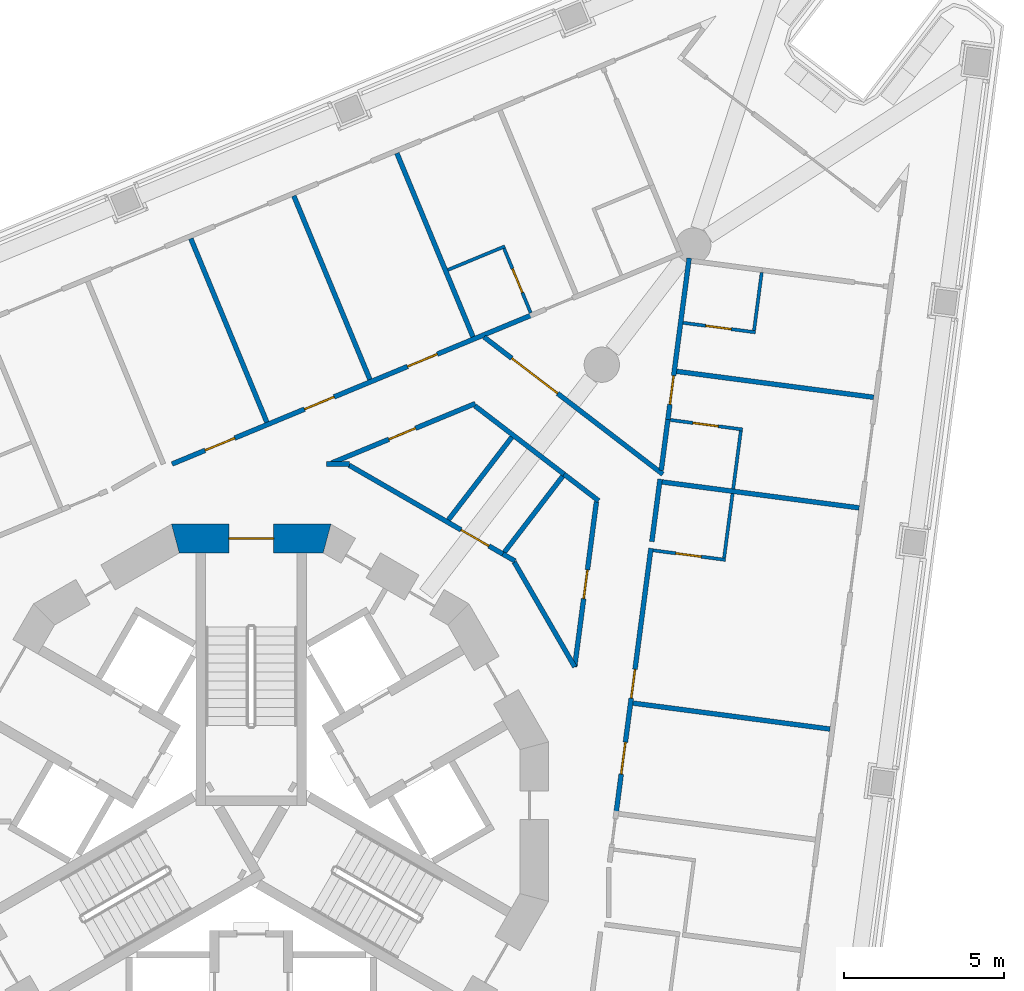
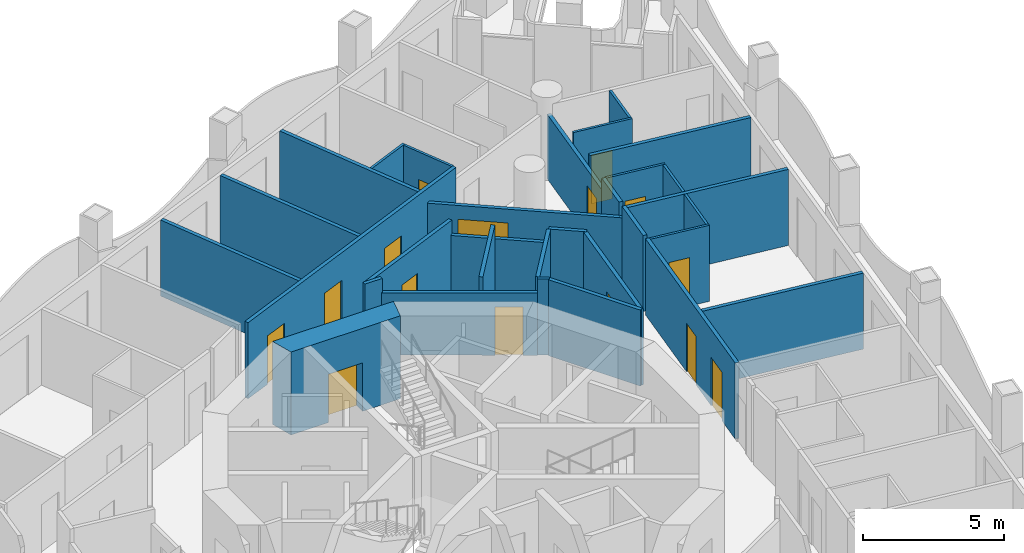
# One storey, part 9 of 17: 31 walls, 15 doors, 15 openings.
"""IFC4 building model written with IfcOpenShell, lengths in metres."""

from ifc_helpers import new_model, si_unit, direction, frame, frame_2d, origin, place, context, subcontext, project, spatial, polyline, rectangle, outline, extrude, material, layer, layer_set, type_object, element, fill, save


model = new_model("IFC4")

# Units and contexts
model_context = context("Model", 3, precision=1e-05, world=origin(), true_north=direction((0.0, 1.0)))
body_context = subcontext(model_context, "Body", "Model", "MODEL_VIEW")
ifc_project = project(units=[si_unit("LENGTHUNIT", "METRE"), si_unit("AREAUNIT", "SQUARE_METRE"), si_unit("VOLUMEUNIT", "CUBIC_METRE"), si_unit("PLANEANGLEUNIT", "RADIAN"), si_unit("MASSUNIT", "GRAM", prefix="KILO")], contexts=[model_context])

# Site, building, storey
site_placement = place(None, origin())
site = spatial("IfcSite", under=ifc_project, at=site_placement, CompositionType="ELEMENT")
building_placement = place(site_placement, origin())
building = spatial("IfcBuilding", under=site, at=building_placement, Name="Trine Commons Tower", CompositionType="ELEMENT")
storey_placement = place(building_placement, frame((0.0, 0.0, 127.800048828125)))
storey = spatial("IfcBuildingStorey", under=building, at=storey_placement, Name="L32", CompositionType="ELEMENT", Elevation=127.800048828125)

# Wall, opening, door
ifc_material_1 = material(Name="Concrete C70/85", Category="concrete")
ifc_layer_1 = layer(ifc_material_1, 0.89990234375)
ifc_layer_set_1 = layer_set([ifc_layer_1], Name="Concrete C70/85")
wall_type_1 = type_object("IfcWallType", Name="RC shear wall 900 mm, C70/85", PredefinedType="SHEAR", material=ifc_layer_set_1)
wall_1_placement = place(storey_placement, frame((82.484619140625, 71.322998046875, 0.0), z_axis=(0.0, 0.0, 1.0), x_axis=(-1.0, 0.0, 0.0)))
wall_1 = element("IfcWall", 1, at=wall_1_placement, inside=storey, type_object=wall_type_1, Name="Core wall CWD-04 L32", PredefinedType="SHEAR", context=body_context, shape_type="SweptSolid", body=[
    extrude(outline(polyline([(0.0, -0.449951171875), (4.969482421875, -0.449951171875), (4.728271484375, 0.449951171875), (0.2412109375, 0.449951171875), (0.0, -0.449951171875)])), origin(), (0.0, 0.0, 1.0), 3.599853515625),
])
opening_1_placement = place(wall_1_placement, frame((1.78466796875, 0.0, 0.0)))
opening_1 = element("IfcOpeningElement", 2, at=opening_1_placement, cuts=wall_1, Name="Opening K11.01", PredefinedType="OPENING", context=body_context, shape_type="SweptSolid", body=[
    extrude(rectangle(XDim=1.39990234375, YDim=2.10009765625, at=frame_2d((0.699951171875, 1.050048828125))), frame((0.0, 0.4599609375, 0.0), z_axis=(0.0, -1.0, 0.0), x_axis=(1.0, 0.0, 0.0)), (0.0, 0.0, 1.0), 0.919921875),
])
ifc_material_2 = material(Name="Steel door leaves, fire-rated", Category="steel")
door_type_1 = type_object("IfcDoorType", Name="Stair door, double leaf 1400 x 2100, FD90", OperationType="DOUBLE_DOOR_SINGLE_SWING", PredefinedType="DOOR", material=ifc_material_2)
door_1_placement = place(opening_1_placement, origin())
door_1 = element("IfcDoor", 3, at=door_1_placement, inside=storey, type_object=door_type_1, Name="Stair door to Exit stair ST1B L32", OperationType="DOUBLE_DOOR_SINGLE_SWING", OverallHeight=2.10009765625, OverallWidth=1.39990234375, PredefinedType="DOOR", context=body_context, shape_type="SweptSolid", body=[
    extrude(rectangle(XDim=1.39990234375, YDim=2.10009765625, at=frame_2d((0.699951171875, 1.050048828125))), frame((0.0, 0.02490234375, 0.0), z_axis=(0.0, -1.0, 0.0), x_axis=(1.0, 0.0, 0.0)), (0.0, 0.0, 1.0), 0.050048828125),
])
fill(opening_1, door_1)

# Wall, openings, doors
ifc_material_3 = material(Name="Gypsum plasterboard on steel stud", Category="steel")
ifc_layer_2 = layer(ifc_material_3, 0.14990234375)
ifc_layer_set_2 = layer_set([ifc_layer_2], Name="Gypsum plasterboard on steel stud")
wall_type_2 = type_object("IfcWallType", Name="Unit and corridor wall 150 mm, EI 60", PredefinedType="PARTITIONING", material=ifc_layer_set_2)
wall_2_placement = place(storey_placement, frame((77.531982421875, 73.64794921875, 0.0), z_axis=(0.0, 0.0, 1.0), x_axis=(0.923863379582, 0.382722426659, 0.0)))
wall_2 = element("IfcWall", 4, at=wall_2_placement, inside=storey, type_object=wall_type_2, Name="Partition 059", PredefinedType="PARTITIONING", context=body_context, shape_type="SweptSolid", body=[
    extrude(rectangle(XDim=12.139404296875, YDim=0.14990234375, at=frame_2d((6.06982421875, 0.0))), origin(), (0.0, 0.0, 1.0), 3.300048828125),
])
opening_2_placement = place(wall_2_placement, frame((1.115966796875, 0.0, 0.0)))
opening_2 = element("IfcOpeningElement", 5, at=opening_2_placement, cuts=wall_2, Name="Opening D-4A10", PredefinedType="OPENING", context=body_context, shape_type="SweptSolid", body=[
    extrude(rectangle(XDim=1.0, YDim=2.10009765625, at=frame_2d((0.5, 1.050048828125))), frame((0.0, 0.0849609375, 0.0), z_axis=(0.0, -1.0, 0.0), x_axis=(1.0, 0.0, 0.0)), (0.0, 0.0, 1.0), 0.169921875),
])
opening_3_placement = place(wall_2_placement, frame((4.46875, 0.0, 0.0)))
opening_3 = element("IfcOpeningElement", 6, at=opening_3_placement, cuts=wall_2, Name="Opening D-4A11", PredefinedType="OPENING", context=body_context, shape_type="SweptSolid", body=[
    extrude(rectangle(XDim=1.0, YDim=2.10009765625, at=frame_2d((0.5, 1.050048828125))), frame((0.0, 0.0849609375, 0.0), z_axis=(0.0, -1.0, 0.0), x_axis=(1.0, 0.0, 0.0)), (0.0, 0.0, 1.0), 0.169921875),
])
opening_4_placement = place(wall_2_placement, frame((7.946533203125, 0.0, 0.0)))
opening_4 = element("IfcOpeningElement", 7, at=opening_4_placement, cuts=wall_2, Name="Opening D-4A12", PredefinedType="OPENING", context=body_context, shape_type="SweptSolid", body=[
    extrude(rectangle(XDim=1.0, YDim=2.10009765625, at=frame_2d((0.5, 1.050048828125))), frame((0.0, 0.0849609375, 0.0), z_axis=(0.0, -1.0, 0.0), x_axis=(1.0, 0.0, 0.0)), (0.0, 0.0, 1.0), 0.169921875),
])
ifc_material_4 = material(Name="Painted timber", Category="wood")
door_type_2 = type_object("IfcDoorType", Name="Amenity room door 1000 x 2100, NOT RATED", OperationType="NOTDEFINED", PredefinedType="DOOR", material=ifc_material_4)
door_2_placement = place(opening_3_placement, origin())
door_2 = element("IfcDoor", 8, at=door_2_placement, inside=storey, type_object=door_type_2, Name="Door D-4A11", OperationType="SINGLE_SWING_LEFT", OverallHeight=2.10009765625, OverallWidth=1.0, PredefinedType="DOOR", context=body_context, shape_type="SweptSolid", body=[
    extrude(rectangle(XDim=1.0, YDim=2.10009765625, at=frame_2d((0.5, 1.050048828125))), frame((0.0, 0.02490234375, 0.0), z_axis=(0.0, -1.0, 0.0), x_axis=(1.0, 0.0, 0.0)), (0.0, 0.0, 1.0), 0.050048828125),
])
fill(opening_3, door_2)
door_3_placement = place(opening_4_placement, origin())
door_3 = element("IfcDoor", 9, at=door_3_placement, inside=storey, type_object=door_type_2, Name="Door D-4A12", OperationType="SINGLE_SWING_RIGHT", OverallHeight=2.10009765625, OverallWidth=1.0, PredefinedType="DOOR", context=body_context, shape_type="SweptSolid", body=[
    extrude(rectangle(XDim=1.0, YDim=2.10009765625, at=frame_2d((0.5, 1.050048828125))), frame((0.0, 0.02490234375, 0.0), z_axis=(0.0, -1.0, 0.0), x_axis=(1.0, 0.0, 0.0)), (0.0, 0.0, 1.0), 0.050048828125),
])
fill(opening_4, door_3)
door_type_3 = type_object("IfcDoorType", Name="Toilet door 1000 x 2100, NOT RATED", OperationType="NOTDEFINED", PredefinedType="DOOR", material=ifc_material_4)
door_4_placement = place(opening_2_placement, origin())
door_4 = element("IfcDoor", 10, at=door_4_placement, inside=storey, type_object=door_type_3, Name="Door D-4A10", OperationType="SINGLE_SWING_LEFT", OverallHeight=2.10009765625, OverallWidth=1.0, PredefinedType="DOOR", context=body_context, shape_type="SweptSolid", body=[
    extrude(rectangle(XDim=1.0, YDim=2.10009765625, at=frame_2d((0.5, 1.050048828125))), frame((0.0, 0.02490234375, 0.0), z_axis=(0.0, -1.0, 0.0), x_axis=(1.0, 0.0, 0.0)), (0.0, 0.0, 1.0), 0.050048828125),
])
fill(opening_2, door_4)

# Walls
wall_3_placement = place(storey_placement, frame((78.1171875, 80.676025390625, 0.0), z_axis=(0.0, 0.0, 1.0), x_axis=(0.382644207456, -0.923895779025, 0.0)))
element("IfcWall", 11, at=wall_3_placement, inside=storey, type_object=wall_type_2, Name="Partition 060", PredefinedType="PARTITIONING", context=body_context, shape_type="SweptSolid", body=[
    extrude(rectangle(XDim=6.194091796875, YDim=0.14990234375, at=frame_2d((3.09716796875, 0.0))), origin(), (0.0, 0.0, 1.0), 3.300048828125),
])
wall_4_placement = place(storey_placement, frame((81.329345703125, 82.007080078125, 0.0), z_axis=(0.0, 0.0, 1.0), x_axis=(0.382731197273, -0.923859746192, 0.0)))
element("IfcWall", 12, at=wall_4_placement, inside=storey, type_object=wall_type_2, Name="Partition 064", PredefinedType="PARTITIONING", context=body_context, shape_type="SweptSolid", body=[
    extrude(rectangle(XDim=6.194580078125, YDim=0.14990234375, at=frame_2d((3.09716796875, 0.0))), origin(), (0.0, 0.0, 1.0), 3.300048828125),
])
wall_5_placement = place(storey_placement, frame((82.35205078125, 73.64794921875, 0.0), z_axis=(0.0, 0.0, 1.0), x_axis=(1.0, 0.0, 0.0)))
element("IfcWall", 13, at=wall_5_placement, inside=storey, type_object=wall_type_2, Name="Partition 067", PredefinedType="PARTITIONING", context=body_context, shape_type="SweptSolid", body=[
    extrude(rectangle(XDim=0.7099609375, YDim=0.14990234375, at=frame_2d((0.35498046875, 0.0))), origin(), (0.0, 0.0, 1.0), 3.300048828125),
])

# Wall, opening, door
wall_6_placement = place(storey_placement, frame((82.500244140625, 73.6767578125, 0.0), z_axis=(0.0, 0.0, 1.0), x_axis=(0.923900404771, 0.382633038384, 0.0)))
wall_6 = element("IfcWall", 14, at=wall_6_placement, inside=storey, type_object=wall_type_2, Name="Partition 068", PredefinedType="PARTITIONING", context=body_context, shape_type="SweptSolid", body=[
    extrude(rectangle(XDim=4.855712890625, YDim=0.14990234375, at=frame_2d((2.427734375, 0.0))), origin(), (0.0, 0.0, 1.0), 3.300048828125),
])
opening_5_placement = place(wall_6_placement, frame((1.940185546875, 0.0, 0.0)))
opening_5 = element("IfcOpeningElement", 15, at=opening_5_placement, cuts=wall_6, Name="Opening D-4A34", PredefinedType="OPENING", context=body_context, shape_type="SweptSolid", body=[
    extrude(rectangle(XDim=0.89990234375, YDim=2.10009765625, at=frame_2d((0.449951171875, 1.050048828125))), frame((0.0, 0.0849609375, 0.0), z_axis=(0.0, -1.0, 0.0), x_axis=(1.0, 0.0, 0.0)), (0.0, 0.0, 1.0), 0.169921875),
])
ifc_material_5 = material(Name="Timber fire door set", Category="wood")
door_type_4 = type_object("IfcDoorType", Name="Service door 900 x 2100, FD30S", OperationType="NOTDEFINED", PredefinedType="DOOR", material=ifc_material_5)
door_5_placement = place(opening_5_placement, frame((0.89990234375, 0.0, 0.0), z_axis=(0.0, 0.0, 1.0), x_axis=(-1.0, 0.0, 0.0)))
door_5 = element("IfcDoor", 16, at=door_5_placement, inside=storey, type_object=door_type_4, Name="Door D-4A34", OperationType="SINGLE_SWING_RIGHT", OverallHeight=2.10009765625, OverallWidth=0.89990234375, PredefinedType="DOOR", context=body_context, shape_type="SweptSolid", body=[
    extrude(rectangle(XDim=0.89990234375, YDim=2.10009765625, at=frame_2d((0.449951171875, 1.050048828125))), frame((0.0, 0.02490234375, 0.0), z_axis=(0.0, -1.0, 0.0), x_axis=(1.0, 0.0, 0.0)), (0.0, 0.0, 1.0), 0.050048828125),
])
fill(opening_5, door_5)

wall_7_placement = place(storey_placement, frame((83.052001953125, 73.610595703125, 0.0), z_axis=(0.0, 0.0, 1.0), x_axis=(0.866011740381, -0.500023664962, 0.0)))
wall_7 = element("IfcWall", 17, at=wall_7_placement, inside=storey, type_object=wall_type_2, Name="Partition 071", PredefinedType="PARTITIONING", context=body_context, shape_type="SweptSolid", body=[
    extrude(rectangle(XDim=5.542724609375, YDim=0.14990234375, at=frame_2d((2.771484375, 0.0))), origin(), (0.0, 0.0, 1.0), 2.699951171875),
])
opening_6_placement = place(wall_7_placement, frame((4.030517578125, 0.0, 0.0)))
opening_6 = element("IfcOpeningElement", 18, at=opening_6_placement, cuts=wall_7, Name="Opening D-4A38", PredefinedType="OPENING", context=body_context, shape_type="SweptSolid", body=[
    extrude(rectangle(XDim=1.0, YDim=2.10009765625, at=frame_2d((0.5, 1.050048828125))), frame((0.0, 0.0849609375, 0.0), z_axis=(0.0, -1.0, 0.0), x_axis=(1.0, 0.0, 0.0)), (0.0, 0.0, 1.0), 0.169921875),
])
door_6_placement = place(opening_6_placement, origin())
door_6 = element("IfcDoor", 19, at=door_6_placement, inside=storey, type_object=door_type_3, Name="Door D-4A38", OperationType="SINGLE_SWING_RIGHT", OverallHeight=2.10009765625, OverallWidth=1.0, PredefinedType="DOOR", context=body_context, shape_type="SweptSolid", body=[
    extrude(rectangle(XDim=1.0, YDim=2.10009765625, at=frame_2d((0.5, 1.050048828125))), frame((0.0, 0.02490234375, 0.0), z_axis=(0.0, -1.0, 0.0), x_axis=(1.0, 0.0, 0.0)), (0.0, 0.0, 1.0), 0.050048828125),
])
fill(opening_6, door_6)

# Walls
wall_8_placement = place(storey_placement, frame((84.542236328125, 83.337890625, 0.0), z_axis=(0.0, 0.0, 1.0), x_axis=(0.382778772429, -0.9238400356, 0.0)))
element("IfcWall", 20, at=wall_8_placement, inside=storey, type_object=wall_type_2, Name="Partition 077", PredefinedType="PARTITIONING", context=body_context, shape_type="SweptSolid", body=[
    extrude(rectangle(XDim=6.1943359375, YDim=0.14990234375, at=frame_2d((3.09716796875, 0.0))), origin(), (0.0, 0.0, 1.0), 3.300048828125),
])
wall_9_placement = place(storey_placement, frame((86.147705078125, 71.908447265625, 0.0), z_axis=(0.0, 0.0, 1.0), x_axis=(0.608765985087, 0.793349844269, 0.0)))
element("IfcWall", 21, at=wall_9_placement, inside=storey, type_object=wall_type_2, Name="Partition 081", PredefinedType="PARTITIONING", context=body_context, shape_type="SweptSolid", body=[
    extrude(rectangle(XDim=3.24853515625, YDim=0.14990234375, at=frame_2d((1.624267578125, 0.0))), origin(), (0.0, 0.0, 1.0), 3.300048828125),
])
wall_10_placement = place(storey_placement, frame((86.9765625, 75.460205078125, 0.0), z_axis=(0.0, 0.0, 1.0), x_axis=(0.793436349507, -0.608653234018, 0.0)))
element("IfcWall", 22, at=wall_10_placement, inside=storey, type_object=wall_type_2, Name="Partition 082", PredefinedType="PARTITIONING", context=body_context, shape_type="SweptSolid", body=[
    extrude(rectangle(XDim=3.583251953125, YDim=0.14990234375, at=frame_2d((1.79150390625, 0.0))), origin(), (0.0, 0.0, 1.0), 2.699951171875),
])

# Wall, opening, door
wall_11_placement = place(storey_placement, frame((87.259521484375, 77.607421875, 0.0), z_axis=(0.0, 0.0, 1.0), x_axis=(0.79336631803, -0.608744515718, 0.0)))
wall_11 = element("IfcWall", 23, at=wall_11_placement, inside=storey, type_object=wall_type_2, Name="Partition 083", PredefinedType="PARTITIONING", context=body_context, shape_type="SweptSolid", body=[
    extrude(rectangle(XDim=7.0244140625, YDim=0.14990234375, at=frame_2d((3.51220703125, 0.0))), origin(), (0.0, 0.0, 1.0), 2.699951171875),
])
opening_7_placement = place(wall_11_placement, frame((1.086181640625, 0.0, 0.0)))
opening_7 = element("IfcOpeningElement", 24, at=opening_7_placement, cuts=wall_11, Name="Opening D-4A01", PredefinedType="OPENING", context=body_context, shape_type="SweptSolid", body=[
    extrude(rectangle(XDim=1.800048828125, YDim=2.10009765625, at=frame_2d((0.89990234375, 1.050048828125))), frame((0.0, 0.0849609375, 0.0), z_axis=(0.0, -1.0, 0.0), x_axis=(1.0, 0.0, 0.0)), (0.0, 0.0, 1.0), 0.169921875),
])
door_type_5 = type_object("IfcDoorType", Name="Cluster entrance door 1800 x 2100, double leaf, FD30S", OperationType="DOUBLE_DOOR_DOUBLE_SWING", PredefinedType="DOOR", material=ifc_material_5)
door_7_placement = place(opening_7_placement, origin())
door_7 = element("IfcDoor", 25, at=door_7_placement, inside=storey, type_object=door_type_5, Name="Door D-4A01", OperationType="DOUBLE_DOOR_DOUBLE_SWING", OverallHeight=2.10009765625, OverallWidth=1.800048828125, PredefinedType="DOOR", context=body_context, shape_type="SweptSolid", body=[
    extrude(rectangle(XDim=1.800048828125, YDim=2.10009765625, at=frame_2d((0.89990234375, 1.050048828125))), frame((0.0, 0.02490234375, 0.0), z_axis=(0.0, -1.0, 0.0), x_axis=(1.0, 0.0, 0.0)), (0.0, 0.0, 1.0), 0.050048828125),
])
fill(opening_7, door_7)

# Walls
wall_12_placement = place(storey_placement, frame((87.845947265625, 70.843017578125, 0.0), z_axis=(0.0, 0.0, 1.0), x_axis=(0.86587042983, -0.500268326746, 0.0)))
element("IfcWall", 26, at=wall_12_placement, inside=storey, type_object=wall_type_2, Name="Partition 088", PredefinedType="PARTITIONING", context=body_context, shape_type="SweptSolid", body=[
    extrude(rectangle(XDim=0.438720703125, YDim=0.14990234375, at=frame_2d((0.21923828125, 0.0))), origin(), (0.0, 0.0, 1.0), 3.300048828125),
])
wall_13_placement = place(storey_placement, frame((87.894775390625, 70.900390625, 0.0), z_axis=(0.0, 0.0, 1.0), x_axis=(0.608761301523, 0.793353438114, 0.0)))
element("IfcWall", 27, at=wall_13_placement, inside=storey, type_object=wall_type_2, Name="Partition 089", PredefinedType="PARTITIONING", context=body_context, shape_type="SweptSolid", body=[
    extrude(rectangle(XDim=2.98388671875, YDim=0.14990234375, at=frame_2d((1.491943359375, 0.0))), origin(), (0.0, 0.0, 1.0), 3.300048828125),
])
wall_14_placement = place(storey_placement, frame((88.198486328125, 70.595947265625, 0.0), z_axis=(0.0, 0.0, 1.0), x_axis=(0.499871635049, -0.86609950264, 0.0)))
element("IfcWall", 28, at=wall_14_placement, inside=storey, type_object=wall_type_2, Name="Partition 092", PredefinedType="PARTITIONING", context=body_context, shape_type="SweptSolid", body=[
    extrude(rectangle(XDim=3.77783203125, YDim=0.14990234375, at=frame_2d((1.888916015625, 0.0))), origin(), (0.0, 0.0, 1.0), 3.300048828125),
])
wall_15_placement = place(storey_placement, frame((89.75390625, 73.3291015625, 0.0), z_axis=(0.0, 0.0, 1.0), x_axis=(0.793704663206, -0.608303302313, 0.0)))
element("IfcWall", 29, at=wall_15_placement, inside=storey, type_object=wall_type_2, Name="Partition 102", PredefinedType="PARTITIONING", context=body_context, shape_type="SweptSolid", body=[
    extrude(rectangle(XDim=1.35888671875, YDim=0.14990234375, at=frame_2d((0.679443359375, 0.0))), origin(), (0.0, 0.0, 1.0), 3.300048828125),
])

# Wall, opening, door
wall_16_placement = place(storey_placement, frame((90.0849609375, 67.326904296875, 0.0), z_axis=(0.0, 0.0, 1.0), x_axis=(0.130647942506, 0.991428825039, 0.0)))
wall_16 = element("IfcWall", 30, at=wall_16_placement, inside=storey, type_object=wall_type_2, Name="Partition 106", PredefinedType="PARTITIONING", context=body_context, shape_type="SweptSolid", body=[
    extrude(rectangle(XDim=5.191162109375, YDim=0.14990234375, at=frame_2d((2.595703125, 0.0))), origin(), (0.0, 0.0, 1.0), 3.300048828125),
])
opening_8_placement = place(wall_16_placement, frame((2.1455078125, 0.0, 0.0)))
opening_8 = element("IfcOpeningElement", 31, at=opening_8_placement, cuts=wall_16, Name="Opening D-4A35", PredefinedType="OPENING", context=body_context, shape_type="SweptSolid", body=[
    extrude(rectangle(XDim=0.89990234375, YDim=2.10009765625, at=frame_2d((0.449951171875, 1.050048828125))), frame((0.0, 0.0849609375, 0.0), z_axis=(0.0, -1.0, 0.0), x_axis=(1.0, 0.0, 0.0)), (0.0, 0.0, 1.0), 0.169921875),
])
door_8_placement = place(opening_8_placement, origin())
door_8 = element("IfcDoor", 32, at=door_8_placement, inside=storey, type_object=door_type_4, Name="Door D-4A35", OperationType="SINGLE_SWING_LEFT", OverallHeight=2.10009765625, OverallWidth=0.89990234375, PredefinedType="DOOR", context=body_context, shape_type="SweptSolid", body=[
    extrude(rectangle(XDim=0.89990234375, YDim=2.10009765625, at=frame_2d((0.449951171875, 1.050048828125))), frame((0.0, 0.02490234375, 0.0), z_axis=(0.0, -1.0, 0.0), x_axis=(1.0, 0.0, 0.0)), (0.0, 0.0, 1.0), 0.050048828125),
])
fill(opening_8, door_8)

# Wall, openings, doors
wall_17_placement = place(storey_placement, frame((91.3740234375, 62.751953125, 0.0), z_axis=(0.0, 0.0, 1.0), x_axis=(0.130502976736, 0.991447917474, 0.0)))
wall_17 = element("IfcWall", 33, at=wall_17_placement, inside=storey, type_object=wall_type_2, Name="Partition 120", PredefinedType="PARTITIONING", context=body_context, shape_type="SweptSolid", body=[
    extrude(rectangle(XDim=8.33984375, YDim=0.14990234375, at=frame_2d((4.169921875, 0.0))), origin(), (0.0, 0.0, 1.0), 3.300048828125),
])
opening_9_placement = place(wall_17_placement, frame((3.6318359375, 0.0, 0.0)))
opening_9 = element("IfcOpeningElement", 34, at=opening_9_placement, cuts=wall_17, Name="Opening D-4A17", PredefinedType="OPENING", context=body_context, shape_type="SweptSolid", body=[
    extrude(rectangle(XDim=0.89990234375, YDim=2.10009765625, at=frame_2d((0.449951171875, 1.050048828125))), frame((0.0, 0.0849609375, 0.0), z_axis=(0.0, -1.0, 0.0), x_axis=(1.0, 0.0, 0.0)), (0.0, 0.0, 1.0), 0.169921875),
])
opening_10_placement = place(wall_17_placement, frame((1.242919921875, 0.0, 0.0)))
opening_10 = element("IfcOpeningElement", 35, at=opening_10_placement, cuts=wall_17, Name="Opening D-4A18", PredefinedType="OPENING", context=body_context, shape_type="SweptSolid", body=[
    extrude(rectangle(XDim=1.0, YDim=2.10009765625, at=frame_2d((0.5, 1.050048828125))), frame((0.0, 0.0849609375, 0.0), z_axis=(0.0, -1.0, 0.0), x_axis=(1.0, 0.0, 0.0)), (0.0, 0.0, 1.0), 0.169921875),
])
door_9_placement = place(opening_10_placement, frame((1.0, 0.0, 0.0), z_axis=(0.0, 0.0, 1.0), x_axis=(-1.0, 0.0, 0.0)))
door_9 = element("IfcDoor", 36, at=door_9_placement, inside=storey, type_object=door_type_2, Name="Door D-4A18", OperationType="SINGLE_SWING_RIGHT", OverallHeight=2.10009765625, OverallWidth=1.0, PredefinedType="DOOR", context=body_context, shape_type="SweptSolid", body=[
    extrude(rectangle(XDim=1.0, YDim=2.10009765625, at=frame_2d((0.5, 1.050048828125))), frame((0.0, 0.02490234375, 0.0), z_axis=(0.0, -1.0, 0.0), x_axis=(1.0, 0.0, 0.0)), (0.0, 0.0, 1.0), 0.050048828125),
])
fill(opening_10, door_9)
door_type_6 = type_object("IfcDoorType", Name="Bedroom door 900 x 2100, FD30S", OperationType="NOTDEFINED", PredefinedType="DOOR", material=ifc_material_5)
door_10_placement = place(opening_9_placement, frame((0.89990234375, 0.0, 0.0), z_axis=(0.0, 0.0, 1.0), x_axis=(-1.0, 0.0, 0.0)))
door_10 = element("IfcDoor", 37, at=door_10_placement, inside=storey, type_object=door_type_6, Name="Door D-4A17", OperationType="SINGLE_SWING_RIGHT", OverallHeight=2.10009765625, OverallWidth=0.89990234375, PredefinedType="DOOR", context=body_context, shape_type="SweptSolid", body=[
    extrude(rectangle(XDim=0.89990234375, YDim=2.10009765625, at=frame_2d((0.449951171875, 1.050048828125))), frame((0.0, 0.02490234375, 0.0), z_axis=(0.0, -1.0, 0.0), x_axis=(1.0, 0.0, 0.0)), (0.0, 0.0, 1.0), 0.050048828125),
])
fill(opening_9, door_10)

# Walls
wall_18_placement = place(storey_placement, frame((91.9033203125, 66.194091796875, 0.0), z_axis=(0.0, 0.0, 1.0), x_axis=(0.991436980159, -0.130586042033, 0.0)))
element("IfcWall", 38, at=wall_18_placement, inside=storey, type_object=wall_type_2, Name="Partition 123", PredefinedType="PARTITIONING", context=body_context, shape_type="SweptSolid", body=[
    extrude(rectangle(XDim=6.19384765625, YDim=0.14990234375, at=frame_2d((3.096923828125, 0.0))), origin(), (0.0, 0.0, 1.0), 3.300048828125),
])
wall_19_placement = place(storey_placement, frame((92.489990234375, 71.22998046875, 0.0), z_axis=(0.0, 0.0, 1.0), x_axis=(0.130747069904, 0.991415757244, 0.0)))
element("IfcWall", 39, at=wall_19_placement, inside=storey, type_object=wall_type_2, Name="Partition 127", PredefinedType="PARTITIONING", context=body_context, shape_type="SweptSolid", body=[
    extrude(rectangle(XDim=1.96435546875, YDim=0.14990234375, at=frame_2d((0.982177734375, 0.0))), origin(), (0.0, 0.0, 1.0), 3.300048828125),
])
wall_20_placement = place(storey_placement, frame((92.811279296875, 73.089111328125, 0.0), z_axis=(0.0, 0.0, 1.0), x_axis=(0.991458051546, -0.130425963766, 0.0)))
element("IfcWall", 40, at=wall_20_placement, inside=storey, type_object=wall_type_2, Name="Partition 128", PredefinedType="PARTITIONING", context=body_context, shape_type="SweptSolid", body=[
    extrude(rectangle(XDim=6.194091796875, YDim=0.14990234375, at=frame_2d((3.09716796875, 0.0))), origin(), (0.0, 0.0, 1.0), 3.300048828125),
])
wall_21_placement = place(storey_placement, frame((92.78271484375, 73.451416015625, 0.0), z_axis=(0.0, 0.0, 1.0), x_axis=(0.130312245432, 0.991473004519, 0.0)))
element("IfcWall", 41, at=wall_21_placement, inside=storey, type_object=wall_type_2, Name="Partition 129", PredefinedType="PARTITIONING", context=body_context, shape_type="SweptSolid", body=[
    extrude(rectangle(XDim=1.59814453125, YDim=0.14990234375, at=frame_2d((0.799072265625, 0.0))), origin(), (0.0, 0.0, 1.0), 3.300048828125),
])

# Wall, opening, door
wall_22_placement = place(storey_placement, frame((92.9833984375, 74.978515625, 0.0), z_axis=(0.0, 0.0, 1.0), x_axis=(0.130587368937, 0.991436805386, 0.0)))
wall_22 = element("IfcWall", 42, at=wall_22_placement, inside=storey, type_object=wall_type_2, Name="Partition 130", PredefinedType="PARTITIONING", context=body_context, shape_type="SweptSolid", body=[
    extrude(rectangle(XDim=5.1337890625, YDim=0.14990234375, at=frame_2d((2.56689453125, 0.0))), origin(), (0.0, 0.0, 1.0), 2.800048828125),
])
opening_11_placement = place(wall_22_placement, frame((0.531982421875, 0.0, 0.0)))
opening_11 = element("IfcOpeningElement", 43, at=opening_11_placement, cuts=wall_22, Name="Opening D-4A16", PredefinedType="OPENING", context=body_context, shape_type="SweptSolid", body=[
    extrude(rectangle(XDim=0.89990234375, YDim=2.10009765625, at=frame_2d((0.449951171875, 1.050048828125))), frame((0.0, 0.0849609375, 0.0), z_axis=(0.0, -1.0, 0.0), x_axis=(1.0, 0.0, 0.0)), (0.0, 0.0, 1.0), 0.169921875),
])
door_11_placement = place(opening_11_placement, frame((0.89990234375, 0.0, 0.0), z_axis=(0.0, 0.0, 1.0), x_axis=(-1.0, 0.0, 0.0)))
door_11 = element("IfcDoor", 44, at=door_11_placement, inside=storey, type_object=door_type_6, Name="Door D-4A16", OperationType="SINGLE_SWING_RIGHT", OverallHeight=2.10009765625, OverallWidth=0.89990234375, PredefinedType="DOOR", context=body_context, shape_type="SweptSolid", body=[
    extrude(rectangle(XDim=0.89990234375, YDim=2.10009765625, at=frame_2d((0.449951171875, 1.050048828125))), frame((0.0, 0.02490234375, 0.0), z_axis=(0.0, -1.0, 0.0), x_axis=(1.0, 0.0, 0.0)), (0.0, 0.0, 1.0), 0.050048828125),
])
fill(opening_11, door_11)

# Walls
wall_23_placement = place(storey_placement, frame((93.264404296875, 76.537109375, 0.0), z_axis=(0.0, 0.0, 1.0), x_axis=(0.991439668145, -0.130565632649, 0.0)))
element("IfcWall", 45, at=wall_23_placement, inside=storey, type_object=wall_type_2, Name="Partition 133", PredefinedType="PARTITIONING", context=body_context, shape_type="SweptSolid", body=[
    extrude(rectangle(XDim=6.19482421875, YDim=0.14990234375, at=frame_2d((3.097412109375, 0.0))), origin(), (0.0, 0.0, 1.0), 3.300048828125),
])
ifc_layer_3 = layer(ifc_material_3, 0.10009765625)
ifc_layer_set_3 = layer_set([ifc_layer_3], Name="Gypsum plasterboard on steel stud")
wall_type_3 = type_object("IfcWallType", Name="Unit partition 100 mm, no rating", PredefinedType="PARTITIONING", material=ifc_layer_set_3)
wall_24_placement = place(storey_placement, frame((86.13037109375, 79.69970703125, 0.0), z_axis=(0.0, 0.0, 1.0), x_axis=(0.923967386518, 0.38247126513, 0.0)))
element("IfcWall", 46, at=wall_24_placement, inside=storey, type_object=wall_type_3, Name="Partition 080", PredefinedType="PARTITIONING", context=body_context, shape_type="SweptSolid", body=[
    extrude(rectangle(XDim=1.92529296875, YDim=0.10009765625, at=frame_2d((0.962646484375, 0.0))), origin(), (0.0, 0.0, 1.0), 3.300048828125),
])

# Wall, opening, door
wall_25_placement = place(storey_placement, frame((87.882080078125, 80.370849609375, 0.0), z_axis=(0.0, 0.0, 1.0), x_axis=(0.382645891508, -0.92389508155, 0.0)))
wall_25 = element("IfcWall", 47, at=wall_25_placement, inside=storey, type_object=wall_type_3, Name="Partition 090", PredefinedType="PARTITIONING", context=body_context, shape_type="SweptSolid", body=[
    extrude(rectangle(XDim=2.175048828125, YDim=0.10009765625, at=frame_2d((1.08740234375, 0.0))), origin(), (0.0, 0.0, 1.0), 3.300048828125),
])
opening_12_placement = place(wall_25_placement, frame((0.6875, 0.0, 0.0)))
opening_12 = element("IfcOpeningElement", 48, at=opening_12_placement, cuts=wall_25, Name="Opening D-4A42", PredefinedType="OPENING", context=body_context, shape_type="SweptSolid", body=[
    extrude(rectangle(XDim=0.800048828125, YDim=2.10009765625, at=frame_2d((0.39990234375, 1.050048828125))), frame((0.0, 0.06005859375, 0.0), z_axis=(0.0, -1.0, 0.0), x_axis=(1.0, 0.0, 0.0)), (0.0, 0.0, 1.0), 0.1201171875),
])
door_type_7 = type_object("IfcDoorType", Name="Internal door 800 x 2100, NOT RATED", OperationType="NOTDEFINED", PredefinedType="DOOR", material=ifc_material_4)
door_12_placement = place(opening_12_placement, origin())
door_12 = element("IfcDoor", 49, at=door_12_placement, inside=storey, type_object=door_type_7, Name="Door D-4A42", OperationType="SINGLE_SWING_RIGHT", OverallHeight=2.10009765625, OverallWidth=0.800048828125, PredefinedType="DOOR", context=body_context, shape_type="SweptSolid", body=[
    extrude(rectangle(XDim=0.800048828125, YDim=2.10009765625, at=frame_2d((0.39990234375, 1.050048828125))), frame((0.0, 0.02490234375, 0.0), z_axis=(0.0, -1.0, 0.0), x_axis=(1.0, 0.0, 0.0)), (0.0, 0.0, 1.0), 0.050048828125),
])
fill(opening_12, door_12)

wall_26_placement = place(storey_placement, frame((92.530517578125, 70.957275390625, 0.0), z_axis=(0.0, 0.0, 1.0), x_axis=(0.991445890878, -0.130518372124, 0.0)))
wall_26 = element("IfcWall", 50, at=wall_26_placement, inside=storey, type_object=wall_type_3, Name="Partition 125", PredefinedType="PARTITIONING", context=body_context, shape_type="SweptSolid", body=[
    extrude(rectangle(XDim=2.274658203125, YDim=0.10009765625, at=frame_2d((1.13720703125, 0.0))), origin(), (0.0, 0.0, 1.0), 3.300048828125),
])
opening_13_placement = place(wall_26_placement, frame((0.71240234375, 0.0, 0.0)))
opening_13 = element("IfcOpeningElement", 51, at=opening_13_placement, cuts=wall_26, Name="Opening D-4A46", PredefinedType="OPENING", context=body_context, shape_type="SweptSolid", body=[
    extrude(rectangle(XDim=0.800048828125, YDim=2.10009765625, at=frame_2d((0.39990234375, 1.050048828125))), frame((0.0, 0.06005859375, 0.0), z_axis=(0.0, -1.0, 0.0), x_axis=(1.0, 0.0, 0.0)), (0.0, 0.0, 1.0), 0.1201171875),
])
door_13_placement = place(opening_13_placement, frame((0.800048828125, 0.0, 0.0), z_axis=(0.0, 0.0, 1.0), x_axis=(-1.0, 0.0, 0.0)))
door_13 = element("IfcDoor", 52, at=door_13_placement, inside=storey, type_object=door_type_7, Name="Door D-4A46", OperationType="SINGLE_SWING_RIGHT", OverallHeight=2.10009765625, OverallWidth=0.800048828125, PredefinedType="DOOR", context=body_context, shape_type="SweptSolid", body=[
    extrude(rectangle(XDim=0.800048828125, YDim=2.10009765625, at=frame_2d((0.39990234375, 1.050048828125))), frame((0.0, 0.02490234375, 0.0), z_axis=(0.0, -1.0, 0.0), x_axis=(1.0, 0.0, 0.0)), (0.0, 0.0, 1.0), 0.050048828125),
])
fill(opening_13, door_13)

wall_27_placement = place(storey_placement, frame((93.0654296875, 75.022216796875, 0.0), z_axis=(0.0, 0.0, 1.0), x_axis=(0.991459774706, -0.130412864162, 0.0)))
wall_27 = element("IfcWall", 53, at=wall_27_placement, inside=storey, type_object=wall_type_3, Name="Partition 131", PredefinedType="PARTITIONING", context=body_context, shape_type="SweptSolid", body=[
    extrude(rectangle(XDim=2.274658203125, YDim=0.10009765625, at=frame_2d((1.13720703125, 0.0))), origin(), (0.0, 0.0, 1.0), 3.300048828125),
])
opening_14_placement = place(wall_27_placement, frame((0.71240234375, 0.0, 0.0)))
opening_14 = element("IfcOpeningElement", 54, at=opening_14_placement, cuts=wall_27, Name="Opening D-4A45", PredefinedType="OPENING", context=body_context, shape_type="SweptSolid", body=[
    extrude(rectangle(XDim=0.800048828125, YDim=2.10009765625, at=frame_2d((0.39990234375, 1.050048828125))), frame((0.0, 0.06005859375, 0.0), z_axis=(0.0, -1.0, 0.0), x_axis=(1.0, 0.0, 0.0)), (0.0, 0.0, 1.0), 0.1201171875),
])
door_14_placement = place(opening_14_placement, origin())
door_14 = element("IfcDoor", 55, at=door_14_placement, inside=storey, type_object=door_type_7, Name="Door D-4A45", OperationType="SINGLE_SWING_LEFT", OverallHeight=2.10009765625, OverallWidth=0.800048828125, PredefinedType="DOOR", context=body_context, shape_type="SweptSolid", body=[
    extrude(rectangle(XDim=0.800048828125, YDim=2.10009765625, at=frame_2d((0.39990234375, 1.050048828125))), frame((0.0, 0.02490234375, 0.0), z_axis=(0.0, -1.0, 0.0), x_axis=(1.0, 0.0, 0.0)), (0.0, 0.0, 1.0), 0.050048828125),
])
fill(opening_14, door_14)

wall_28_placement = place(storey_placement, frame((93.46435546875, 78.05126953125, 0.0), z_axis=(0.0, 0.0, 1.0), x_axis=(0.991445890878, -0.130518372124, 0.0)))
wall_28 = element("IfcWall", 56, at=wall_28_placement, inside=storey, type_object=wall_type_3, Name="Partition 134", PredefinedType="PARTITIONING", context=body_context, shape_type="SweptSolid", body=[
    extrude(rectangle(XDim=2.274658203125, YDim=0.10009765625, at=frame_2d((1.13720703125, 0.0))), origin(), (0.0, 0.0, 1.0), 3.300048828125),
])
opening_15_placement = place(wall_28_placement, frame((0.71240234375, 0.0, 0.0)))
opening_15 = element("IfcOpeningElement", 57, at=opening_15_placement, cuts=wall_28, Name="Opening D-4A44", PredefinedType="OPENING", context=body_context, shape_type="SweptSolid", body=[
    extrude(rectangle(XDim=0.800048828125, YDim=2.10009765625, at=frame_2d((0.39990234375, 1.050048828125))), frame((0.0, 0.06005859375, 0.0), z_axis=(0.0, -1.0, 0.0), x_axis=(1.0, 0.0, 0.0)), (0.0, 0.0, 1.0), 0.1201171875),
])
door_15_placement = place(opening_15_placement, frame((0.800048828125, 0.0, 0.0), z_axis=(0.0, 0.0, 1.0), x_axis=(-1.0, 0.0, 0.0)))
door_15 = element("IfcDoor", 58, at=door_15_placement, inside=storey, type_object=door_type_7, Name="Door D-4A44", OperationType="SINGLE_SWING_RIGHT", OverallHeight=2.10009765625, OverallWidth=0.800048828125, PredefinedType="DOOR", context=body_context, shape_type="SweptSolid", body=[
    extrude(rectangle(XDim=0.800048828125, YDim=2.10009765625, at=frame_2d((0.39990234375, 1.050048828125))), frame((0.0, 0.02490234375, 0.0), z_axis=(0.0, -1.0, 0.0), x_axis=(1.0, 0.0, 0.0)), (0.0, 0.0, 1.0), 0.050048828125),
])
fill(opening_15, door_15)

# Walls
wall_29_placement = place(storey_placement, frame((94.742431640625, 70.716552734375, 0.0), z_axis=(0.0, 0.0, 1.0), x_axis=(0.130663420693, 0.991426785241, 0.0)))
element("IfcWall", 59, at=wall_29_placement, inside=storey, type_object=wall_type_3, Name="Partition 138", PredefinedType="PARTITIONING", context=body_context, shape_type="SweptSolid", body=[
    extrude(rectangle(XDim=2.025390625, YDim=0.10009765625, at=frame_2d((1.0126953125, 0.0))), origin(), (0.0, 0.0, 1.0), 3.300048828125),
])
for number, where, z_axis, x_axis, name in (
    (60, (95.02685546875, 72.873291015625, 0.0), (0.0, 0.0, 1.0), (0.130191453907, 0.991488873024, 0.0), "Partition 139"),
    (61, (95.676513671875, 77.810546875, 0.0), (0.0, 0.0, 1.0), (0.130849048899, 0.991402303004, 0.0), "Partition 140"),
):
    element("IfcWall", number, at=place(storey_placement, frame(where, z_axis=z_axis, x_axis=x_axis)), inside=storey, type_object=wall_type_3, Name=name, PredefinedType="PARTITIONING", context=body_context, shape_type="SweptSolid", body=[
        extrude(rectangle(XDim=1.82470703125, YDim=0.10009765625, at=frame_2d((0.912353515625, 0.0))), origin(), (0.0, 0.0, 1.0), 3.300048828125),
    ])

save(model, "model.ifc")
